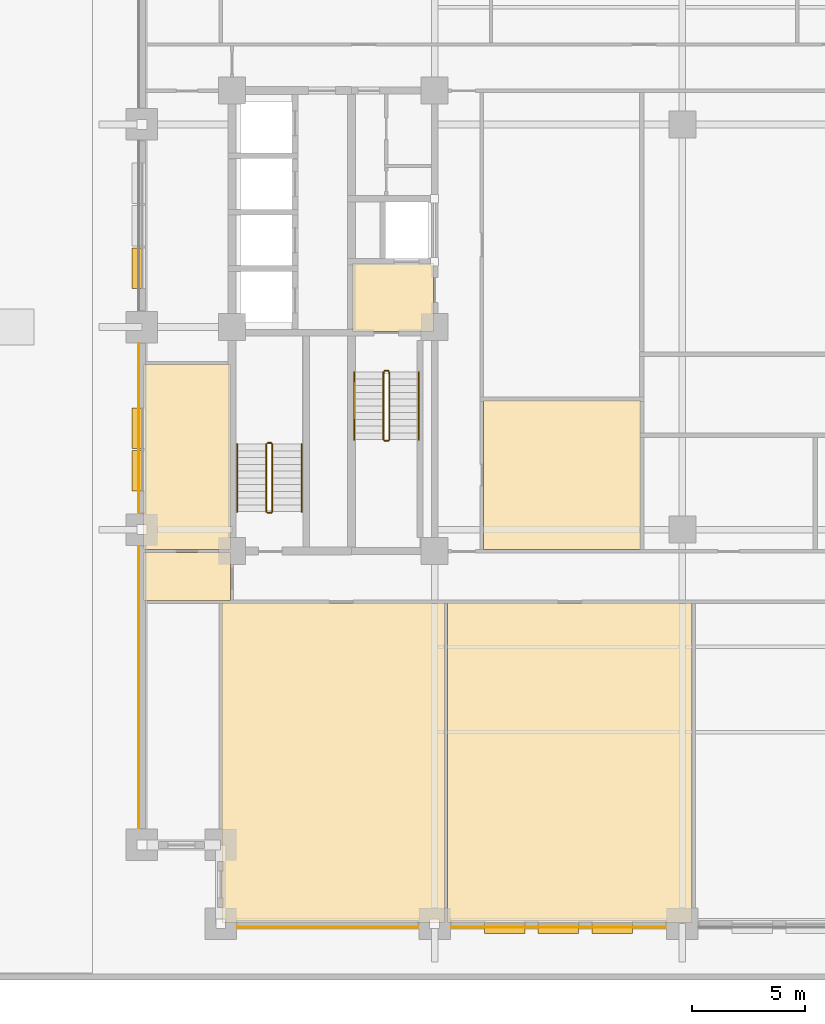
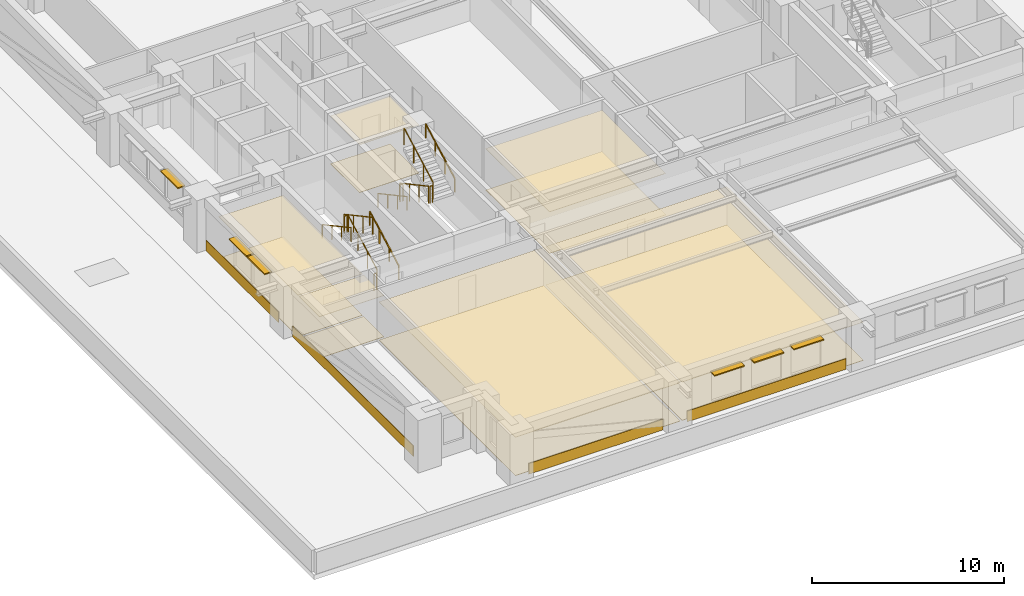
# One storey, part 9 of 12: 16 coverings, 12 railings, 6 shading devices.
"""IFC4 building model written with IfcOpenShell, lengths in metres."""

from ifc_helpers import new_model, si_unit, direction, frame, frame_2d, origin, origin_2d, place, context, subcontext, project, spatial, polyline, rectangle, outline, extrude, material, layer, layer_set, type_object, element, save


model = new_model("IFC4")

# Units and contexts
model_context = context("Model", 3, precision=1e-05, world=origin(), true_north=direction((0.0, 1.0)))
body_context = subcontext(model_context, "Body", "Model", "MODEL_VIEW")
ifc_project = project(units=[si_unit("LENGTHUNIT", "METRE"), si_unit("AREAUNIT", "SQUARE_METRE"), si_unit("VOLUMEUNIT", "CUBIC_METRE"), si_unit("PLANEANGLEUNIT", "RADIAN"), si_unit("MASSUNIT", "GRAM", prefix="KILO")], contexts=[model_context])

# Site, building, storey
site_placement = place(None, origin())
site = spatial("IfcSite", under=ifc_project, at=site_placement, CompositionType="ELEMENT")
building_placement = place(site_placement, origin())
building = spatial("IfcBuilding", under=site, at=building_placement, Name="Zulmaris Gate Convention Tower", CompositionType="ELEMENT")
storey_placement = place(building_placement, frame((0.0, 0.0, 27.199951171875)))
storey = spatial("IfcBuildingStorey", under=building, at=storey_placement, Name="L05", CompositionType="ELEMENT", Elevation=27.199951171875)

# Coverings
ifc_material_1 = material(Name="Precast concrete C40/50", Category="concrete")
ifc_layer_1 = layer(ifc_material_1, 0.0400390625, Name="Precast concrete C40/50")
ifc_layer_set_1 = layer_set([ifc_layer_1], Name="Precast concrete C40/50")
covering_type_1 = type_object("IfcCoveringType", Name="CLAD-SPANDREL-PRECAST", PredefinedType="CLADDING", material=ifc_layer_set_1)
covering_1_placement = place(storey_placement, frame((-19.77001953125, -26.64990234375, 0.0), z_axis=(0.0, 0.0, 1.0), x_axis=(1.0, 0.0, 0.0)))
element("IfcCovering", 1, at=covering_1_placement, inside=storey, type_object=covering_type_1, Name="CLD-L05-S-0_0", PredefinedType="CLADDING", context=body_context, shape_type="SweptSolid", body=[
    extrude(rectangle(XDim=8.0400390625, YDim=0.0400390625, at=frame_2d((4.02001953125, 0.0))), origin(), (0.0, 0.0, 1.0), 0.679931640625),
])
covering_2_placement = place(storey_placement, frame((-10.27001953125, -26.64990234375, 0.0), z_axis=(0.0, 0.0, 1.0), x_axis=(1.0, 0.0, 0.0)))
element("IfcCovering", 2, at=covering_2_placement, inside=storey, type_object=covering_type_1, Name="CLD-L05-S-1_0", PredefinedType="CLADDING", context=body_context, shape_type="SweptSolid", body=[
    extrude(rectangle(XDim=9.5400390625, YDim=0.0400390625, at=frame_2d((4.77001953125, 0.0))), origin(), (0.0, 0.0, 1.0), 0.679931640625),
])
covering_3_placement = place(storey_placement, frame((-24.14990234375, -9.72998046875, 0.0), z_axis=(0.0, 0.0, 1.0), x_axis=(0.0, -1.0, 0.0)))
element("IfcCovering", 3, at=covering_3_placement, inside=storey, type_object=covering_type_1, Name="CLD-L05-W-0_0", PredefinedType="CLADDING", context=body_context, shape_type="SweptSolid", body=[
    extrude(rectangle(XDim=12.5400390625, YDim=0.0400390625, at=frame_2d((6.27001953125, 0.0))), origin(), (0.0, 0.0, 1.0), 0.679931640625),
])
covering_4_placement = place(storey_placement, frame((-24.14990234375, -0.72998046875, 0.0), z_axis=(0.0, 0.0, 1.0), x_axis=(0.0, -1.0, 0.0)))
element("IfcCovering", 4, at=covering_4_placement, inside=storey, type_object=covering_type_1, Name="CLD-L05-W-1_0", PredefinedType="CLADDING", context=body_context, shape_type="SweptSolid", body=[
    extrude(rectangle(XDim=7.5400390625, YDim=0.0400390625, at=frame_2d((3.77001953125, 0.0))), origin(), (0.0, 0.0, 1.0), 0.679931640625),
])
ifc_material_2 = material(Name="Mineral Fibre Acoustic Ceiling Tile")
ifc_layer_2 = layer(ifc_material_2, 0.02001953125, Name="Mineral Fibre Acoustic Ceiling Tile")
ifc_layer_set_2 = layer_set([ifc_layer_2], Name="Mineral Fibre Acoustic Ceiling Tile")
covering_type_2 = type_object("IfcCoveringType", Name="CLG-ACOUSTIC-600", PredefinedType="CEILING", material=ifc_layer_set_2)
covering_5_placement = place(storey_placement, frame((0.0, 0.0, 3.0400390625)))
element("IfcCovering", 5, at=covering_5_placement, inside=storey, type_object=covering_type_2, Name="CLG-L05-R03", PredefinedType="CEILING", context=body_context, shape_type="SweptSolid", body=[
    extrude(outline(polyline([(-14.639892578125, -0.18994140625), (-11.06005859375, -0.18994140625), (-11.06005859375, 2.840087890625), (-14.639892578125, 2.840087890625), (-14.639892578125, -0.18994140625)])), origin(), (0.0, 0.0, 1.0), 0.02001953125),
])
covering_6_placement = place(storey_placement, frame((0.0, 0.0, 2.427978515625)))
element("IfcCovering", 6, at=covering_6_placement, inside=storey, type_object=covering_type_2, Name="CLG-L05-R38", PredefinedType="CEILING", context=body_context, shape_type="SweptSolid", body=[
    extrude(outline(polyline([(-20.43994140625, -26.43994140625), (-10.56005859375, -26.43994140625), (-10.56005859375, -12.260009765625), (-20.43994140625, -12.260009765625), (-20.43994140625, -26.43994140625)])), origin(), (0.0, 0.0, 1.0), 0.02001953125),
])
covering_7_placement = place(storey_placement, frame((0.0, 0.0, 2.427978515625)))
element("IfcCovering", 7, at=covering_7_placement, inside=storey, type_object=covering_type_2, Name="CLG-L05-R39", PredefinedType="CEILING", context=body_context, shape_type="SweptSolid", body=[
    extrude(outline(polyline([(-10.43994140625, -26.43994140625), (0.43994140625, -26.43994140625), (0.43994140625, -12.260009765625), (-10.43994140625, -12.260009765625), (-10.43994140625, -26.43994140625)])), origin(), (0.0, 0.0, 1.0), 0.02001953125),
])
covering_8_placement = place(storey_placement, frame((0.0, 0.0, 2.6279296875)))
element("IfcCovering", 8, at=covering_8_placement, inside=storey, type_object=covering_type_2, Name="CLG-L05-R42", PredefinedType="CEILING", context=body_context, shape_type="SweptSolid", body=[
    extrude(outline(polyline([(-8.840087890625, -9.889892578125), (-1.860107421875, -9.889892578125), (-1.860107421875, -3.260009765625), (-8.840087890625, -3.260009765625), (-8.840087890625, -9.889892578125)])), origin(), (0.0, 0.0, 1.0), 0.02001953125),
])
covering_9_placement = place(storey_placement, frame((0.0, 0.0, 2.6279296875)))
element("IfcCovering", 9, at=covering_9_placement, inside=storey, type_object=covering_type_2, Name="CLG-L05-R48", PredefinedType="CEILING", context=body_context, shape_type="SweptSolid", body=[
    extrude(outline(polyline([(-23.93994140625, -12.139892578125), (-20.06005859375, -12.139892578125), (-20.06005859375, -10.010009765625), (-23.93994140625, -10.010009765625), (-23.93994140625, -12.139892578125)])), origin(), (0.0, 0.0, 1.0), 0.02001953125),
])
covering_10_placement = place(storey_placement, frame((0.0, 0.0, 2.6279296875)))
element("IfcCovering", 10, at=covering_10_placement, inside=storey, type_object=covering_type_2, Name="CLG-L05-R50", PredefinedType="CEILING", context=body_context, shape_type="SweptSolid", body=[
    extrude(outline(polyline([(-23.93994140625, -9.889892578125), (-20.06005859375, -9.889892578125), (-20.06005859375, -1.659912109375), (-23.93994140625, -1.659912109375), (-23.93994140625, -9.889892578125)])), origin(), (0.0, 0.0, 1.0), 0.02001953125),
])
ifc_material_3 = material(Name="Woven Acoustic Wool Carpet Tile")
ifc_layer_3 = layer(ifc_material_3, 0.02001953125, Name="Woven Acoustic Wool Carpet Tile")
ifc_layer_set_3 = layer_set([ifc_layer_3], Name="Woven Acoustic Wool Carpet Tile")
covering_type_3 = type_object("IfcCoveringType", Name="FLR-CARPET-12", PredefinedType="FLOORING", material=ifc_layer_set_3)
covering_11_placement = place(storey_placement, origin())
element("IfcCovering", 11, at=covering_11_placement, inside=storey, type_object=covering_type_3, Name="FLR-L05-R03", PredefinedType="FLOORING", context=body_context, shape_type="SweptSolid", body=[
    extrude(outline(polyline([(-14.639892578125, -0.18994140625), (-11.06005859375, -0.18994140625), (-11.06005859375, 2.840087890625), (-14.639892578125, 2.840087890625), (-14.639892578125, -0.18994140625)])), origin(), (0.0, 0.0, 1.0), 0.02001953125),
])
covering_12_placement = place(storey_placement, origin())
element("IfcCovering", 12, at=covering_12_placement, inside=storey, type_object=covering_type_3, Name="FLR-L05-R39", PredefinedType="FLOORING", context=body_context, shape_type="SweptSolid", body=[
    extrude(outline(polyline([(-10.43994140625, -26.43994140625), (0.43994140625, -26.43994140625), (0.43994140625, -12.260009765625), (-10.43994140625, -12.260009765625), (-10.43994140625, -26.43994140625)])), origin(), (0.0, 0.0, 1.0), 0.02001953125),
])
covering_13_placement = place(storey_placement, origin())
element("IfcCovering", 13, at=covering_13_placement, inside=storey, type_object=covering_type_3, Name="FLR-L05-R42", PredefinedType="FLOORING", context=body_context, shape_type="SweptSolid", body=[
    extrude(outline(polyline([(-8.840087890625, -9.889892578125), (-1.860107421875, -9.889892578125), (-1.860107421875, -3.260009765625), (-8.840087890625, -3.260009765625), (-8.840087890625, -9.889892578125)])), origin(), (0.0, 0.0, 1.0), 0.02001953125),
])
covering_14_placement = place(storey_placement, origin())
element("IfcCovering", 14, at=covering_14_placement, inside=storey, type_object=covering_type_3, Name="FLR-L05-R48", PredefinedType="FLOORING", context=body_context, shape_type="SweptSolid", body=[
    extrude(outline(polyline([(-23.93994140625, -12.139892578125), (-20.06005859375, -12.139892578125), (-20.06005859375, -10.010009765625), (-23.93994140625, -10.010009765625), (-23.93994140625, -12.139892578125)])), origin(), (0.0, 0.0, 1.0), 0.02001953125),
])
covering_15_placement = place(storey_placement, origin())
element("IfcCovering", 15, at=covering_15_placement, inside=storey, type_object=covering_type_3, Name="FLR-L05-R50", PredefinedType="FLOORING", context=body_context, shape_type="SweptSolid", body=[
    extrude(outline(polyline([(-23.93994140625, -9.889892578125), (-20.06005859375, -9.889892578125), (-20.06005859375, -1.659912109375), (-23.93994140625, -1.659912109375), (-23.93994140625, -9.889892578125)])), origin(), (0.0, 0.0, 1.0), 0.02001953125),
])
ifc_material_4 = material(Name="Engineered Teak Parquet Flooring")
ifc_layer_4 = layer(ifc_material_4, 0.02001953125, Name="Engineered Teak Parquet Flooring")
ifc_layer_set_4 = layer_set([ifc_layer_4], Name="Engineered Teak Parquet Flooring")
covering_type_4 = type_object("IfcCoveringType", Name="FLR-TIMBER-18", PredefinedType="FLOORING", material=ifc_layer_set_4)
covering_16_placement = place(storey_placement, origin())
element("IfcCovering", 16, at=covering_16_placement, inside=storey, type_object=covering_type_4, Name="FLR-L05-R38", PredefinedType="FLOORING", context=body_context, shape_type="SweptSolid", body=[
    extrude(outline(polyline([(-20.43994140625, -26.43994140625), (-10.56005859375, -26.43994140625), (-10.56005859375, -12.260009765625), (-20.43994140625, -12.260009765625), (-20.43994140625, -26.43994140625)])), origin(), (0.0, 0.0, 1.0), 0.02001953125),
])

# Railings
ifc_material_5 = material(Name="Painted Galvanised Steel", Category="steel")
railing_type_1 = type_object("IfcRailingType", Name="RL-STG-1150", PredefinedType="GUARDRAIL", material=ifc_material_5)
railing_1_placement = place(storey_placement, frame((-13.27001953125, -2.0, 0.162353515625)))
element("IfcRailing", 17, at=railing_1_placement, inside=storey, type_object=railing_type_1, Name="L05 ST-1 stair guard 1", PredefinedType="GUARDRAIL", context=body_context, shape_type="SweptSolid", body=[
    extrude(rectangle(XDim=0.048095703125, YDim=0.048095703125, at=origin_2d()), frame((0.0, 0.0, 1.076171875), z_axis=(0.0, -0.8795616155, 0.475784998228), x_axis=(1.0, 0.0, 0.0)), (0.0, 0.0, 1.0), 3.410888671875),
    extrude(rectangle(XDim=0.0419921875, YDim=0.0419921875, at=origin_2d()), origin(), (0.0, 0.0, 1.0), 1.052001953125),
    extrude(rectangle(XDim=0.0419921875, YDim=0.0419921875, at=origin_2d()), frame((0.0, -1.0, 0.541015625)), (0.0, 0.0, 1.0), 1.052001953125),
    extrude(rectangle(XDim=0.0419921875, YDim=0.0419921875, at=origin_2d()), frame((0.0, -2.0, 1.081787109375)), (0.0, 0.0, 1.0), 1.052001953125),
    extrude(rectangle(XDim=0.0419921875, YDim=0.0419921875, at=origin_2d()), frame((0.0, -3.0, 1.622802734375)), (0.0, 0.0, 1.0), 1.052001953125),
])
railing_2_placement = place(storey_placement, frame((-13.219970703125, -5.050048828125, 1.78515625)))
element("IfcRailing", 18, at=railing_2_placement, inside=storey, type_object=railing_type_1, Name="L05 ST-1 stair guard 2", PredefinedType="GUARDRAIL", context=body_context, shape_type="SweptSolid", body=[
    extrude(rectangle(XDim=0.048095703125, YDim=0.048095703125, at=origin_2d()), frame((0.0, 0.0, 1.076171875), z_axis=(1.0, 0.0, 0.0), x_axis=(0.0, 1.0, 0.0)), (0.0, 0.0, 1.0), 0.159912109375),
    extrude(rectangle(XDim=0.0419921875, YDim=0.0419921875, at=origin_2d()), origin(), (0.0, 0.0, 1.0), 1.052001953125),
    extrude(rectangle(XDim=0.0419921875, YDim=0.0419921875, at=origin_2d()), frame((0.159912109375, 0.0, 0.0)), (0.0, 0.0, 1.0), 1.052001953125),
])
railing_3_placement = place(storey_placement, frame((-13.010009765625, -5.0, 1.947265625)))
element("IfcRailing", 19, at=railing_3_placement, inside=storey, type_object=railing_type_1, Name="L05 ST-1 stair guard 3", PredefinedType="GUARDRAIL", context=body_context, shape_type="SweptSolid", body=[
    extrude(rectangle(XDim=0.048095703125, YDim=0.048095703125, at=origin_2d()), frame((0.0, 0.0, 1.076171875), z_axis=(0.0, 0.8795616155, 0.475784998228), x_axis=(-1.0, 0.0, 0.0)), (0.0, 0.0, 1.0), 3.410888671875),
    extrude(rectangle(XDim=0.0419921875, YDim=0.0419921875, at=origin_2d()), origin(), (0.0, 0.0, 1.0), 1.052001953125),
    extrude(rectangle(XDim=0.0419921875, YDim=0.0419921875, at=origin_2d()), frame((0.0, 1.0, 0.541015625)), (0.0, 0.0, 1.0), 1.052001953125),
    extrude(rectangle(XDim=0.0419921875, YDim=0.0419921875, at=origin_2d()), frame((0.0, 2.0, 1.081787109375)), (0.0, 0.0, 1.0), 1.052001953125),
    extrude(rectangle(XDim=0.0419921875, YDim=0.0419921875, at=origin_2d()), frame((0.0, 3.0, 1.622802734375)), (0.0, 0.0, 1.0), 1.052001953125),
])
railing_4_placement = place(storey_placement, frame((-13.219970703125, -1.949951171875, 0.0)))
element("IfcRailing", 20, at=railing_4_placement, inside=storey, type_object=railing_type_1, Name="L05 ST-1 stair guard 4", PredefinedType="GUARDRAIL", context=body_context, shape_type="SweptSolid", body=[
    extrude(rectangle(XDim=0.048095703125, YDim=0.048095703125, at=origin_2d()), frame((0.0, 0.0, 1.076171875), z_axis=(1.0, 0.0, 0.0), x_axis=(0.0, 1.0, 0.0)), (0.0, 0.0, 1.0), 0.159912109375),
    extrude(rectangle(XDim=0.0419921875, YDim=0.0419921875, at=origin_2d()), origin(), (0.0, 0.0, 1.0), 1.052001953125),
    extrude(rectangle(XDim=0.0419921875, YDim=0.0419921875, at=origin_2d()), frame((0.159912109375, 0.0, 0.0)), (0.0, 0.0, 1.0), 1.052001953125),
])
railing_5_placement = place(storey_placement, frame((-18.2099609375, -8.199951171875, 0.162353515625)))
element("IfcRailing", 21, at=railing_5_placement, inside=storey, type_object=railing_type_1, Name="L05 ST-3 stair guard 1", PredefinedType="GUARDRAIL", context=body_context, shape_type="SweptSolid", body=[
    extrude(rectangle(XDim=0.048095703125, YDim=0.048095703125, at=origin_2d()), frame((0.0, 0.0, 1.076171875), z_axis=(0.0, 0.8795616155, 0.475784998228), x_axis=(-1.0, 0.0, 0.0)), (0.0, 0.0, 1.0), 3.410888671875),
    extrude(rectangle(XDim=0.0419921875, YDim=0.0419921875, at=origin_2d()), origin(), (0.0, 0.0, 1.0), 1.052001953125),
    extrude(rectangle(XDim=0.0419921875, YDim=0.0419921875, at=origin_2d()), frame((0.0, 1.0, 0.541015625)), (0.0, 0.0, 1.0), 1.052001953125),
    extrude(rectangle(XDim=0.0419921875, YDim=0.0419921875, at=origin_2d()), frame((0.0, 2.0, 1.081787109375)), (0.0, 0.0, 1.0), 1.052001953125),
    extrude(rectangle(XDim=0.0419921875, YDim=0.0419921875, at=origin_2d()), frame((0.0, 3.0, 1.622802734375)), (0.0, 0.0, 1.0), 1.052001953125),
])
railing_6_placement = place(storey_placement, frame((-18.260009765625, -5.14990234375, 1.78515625)))
element("IfcRailing", 22, at=railing_6_placement, inside=storey, type_object=railing_type_1, Name="L05 ST-3 stair guard 2", PredefinedType="GUARDRAIL", context=body_context, shape_type="SweptSolid", body=[
    extrude(rectangle(XDim=0.048095703125, YDim=0.048095703125, at=origin_2d()), frame((0.0, 0.0, 1.076171875), z_axis=(-1.0, 0.0, 0.0), x_axis=(0.0, -1.0, 0.0)), (0.0, 0.0, 1.0), 0.159912109375),
    extrude(rectangle(XDim=0.0419921875, YDim=0.0419921875, at=origin_2d()), origin(), (0.0, 0.0, 1.0), 1.052001953125),
    extrude(rectangle(XDim=0.0419921875, YDim=0.0419921875, at=origin_2d()), frame((-0.159912109375, 0.0, 0.0)), (0.0, 0.0, 1.0), 1.052001953125),
])
railing_7_placement = place(storey_placement, frame((-18.469970703125, -5.199951171875, 1.947265625)))
element("IfcRailing", 23, at=railing_7_placement, inside=storey, type_object=railing_type_1, Name="L05 ST-3 stair guard 3", PredefinedType="GUARDRAIL", context=body_context, shape_type="SweptSolid", body=[
    extrude(rectangle(XDim=0.048095703125, YDim=0.048095703125, at=origin_2d()), frame((0.0, 0.0, 1.076171875), z_axis=(0.0, -0.8795616155, 0.475784998228), x_axis=(1.0, 0.0, 0.0)), (0.0, 0.0, 1.0), 3.410888671875),
    extrude(rectangle(XDim=0.0419921875, YDim=0.0419921875, at=origin_2d()), origin(), (0.0, 0.0, 1.0), 1.052001953125),
    extrude(rectangle(XDim=0.0419921875, YDim=0.0419921875, at=origin_2d()), frame((0.0, -1.0, 0.541015625)), (0.0, 0.0, 1.0), 1.052001953125),
    extrude(rectangle(XDim=0.0419921875, YDim=0.0419921875, at=origin_2d()), frame((0.0, -2.0, 1.081787109375)), (0.0, 0.0, 1.0), 1.052001953125),
    extrude(rectangle(XDim=0.0419921875, YDim=0.0419921875, at=origin_2d()), frame((0.0, -3.0, 1.622802734375)), (0.0, 0.0, 1.0), 1.052001953125),
])
railing_8_placement = place(storey_placement, frame((-18.260009765625, -8.25, 0.0)))
element("IfcRailing", 24, at=railing_8_placement, inside=storey, type_object=railing_type_1, Name="L05 ST-3 stair guard 4", PredefinedType="GUARDRAIL", context=body_context, shape_type="SweptSolid", body=[
    extrude(rectangle(XDim=0.048095703125, YDim=0.048095703125, at=origin_2d()), frame((0.0, 0.0, 1.076171875), z_axis=(-1.0, 0.0, 0.0), x_axis=(0.0, -1.0, 0.0)), (0.0, 0.0, 1.0), 0.159912109375),
    extrude(rectangle(XDim=0.0419921875, YDim=0.0419921875, at=origin_2d()), origin(), (0.0, 0.0, 1.0), 1.052001953125),
    extrude(rectangle(XDim=0.0419921875, YDim=0.0419921875, at=origin_2d()), frame((-0.159912109375, 0.0, 0.0)), (0.0, 0.0, 1.0), 1.052001953125),
])
ifc_material_6 = material(Name="Brushed Stainless Steel", Category="steel")
railing_type_2 = type_object("IfcRailingType", Name="RL-STH-900", PredefinedType="HANDRAIL", material=ifc_material_6)
railing_9_placement = place(storey_placement, frame((-14.570068359375, -2.0, 0.162353515625)))
element("IfcRailing", 25, at=railing_9_placement, inside=storey, type_object=railing_type_2, Name="L05 ST-1 stair handrail 1", PredefinedType="HANDRAIL", context=body_context, shape_type="SweptSolid", body=[
    extrude(rectangle(XDim=0.048095703125, YDim=0.048095703125, at=origin_2d()), frame((0.0, 0.0, 0.8759765625), z_axis=(0.0, -0.8795616155, 0.475784998228), x_axis=(1.0, 0.0, 0.0)), (0.0, 0.0, 1.0), 3.410888671875),
    extrude(rectangle(XDim=0.0419921875, YDim=0.0419921875, at=origin_2d()), origin(), (0.0, 0.0, 1.0), 0.851806640625),
    extrude(rectangle(XDim=0.0419921875, YDim=0.0419921875, at=origin_2d()), frame((0.0, -1.0, 0.541015625)), (0.0, 0.0, 1.0), 0.851806640625),
    extrude(rectangle(XDim=0.0419921875, YDim=0.0419921875, at=origin_2d()), frame((0.0, -2.0, 1.081787109375)), (0.0, 0.0, 1.0), 0.851806640625),
    extrude(rectangle(XDim=0.0419921875, YDim=0.0419921875, at=origin_2d()), frame((0.0, -3.0, 1.622802734375)), (0.0, 0.0, 1.0), 0.851806640625),
])
for number, where, name in (
    (26, (-11.7099609375, -5.0, 1.947265625), "L05 ST-1 stair handrail 2"),
    (27, (-16.909912109375, -8.199951171875, 0.162353515625), "L05 ST-3 stair handrail 1"),
):
    element("IfcRailing", number, at=place(storey_placement, frame(where)), inside=storey, type_object=railing_type_2, Name=name, PredefinedType="HANDRAIL", context=body_context, shape_type="SweptSolid", body=[
        extrude(rectangle(XDim=0.048095703125, YDim=0.048095703125, at=origin_2d()), frame((0.0, 0.0, 0.8759765625), z_axis=(0.0, 0.8795616155, 0.475784998228), x_axis=(-1.0, 0.0, 0.0)), (0.0, 0.0, 1.0), 3.410888671875),
        extrude(rectangle(XDim=0.0419921875, YDim=0.0419921875, at=origin_2d()), origin(), (0.0, 0.0, 1.0), 0.851806640625),
        extrude(rectangle(XDim=0.0419921875, YDim=0.0419921875, at=origin_2d()), frame((0.0, 1.0, 0.541015625)), (0.0, 0.0, 1.0), 0.851806640625),
        extrude(rectangle(XDim=0.0419921875, YDim=0.0419921875, at=origin_2d()), frame((0.0, 2.0, 1.081787109375)), (0.0, 0.0, 1.0), 0.851806640625),
        extrude(rectangle(XDim=0.0419921875, YDim=0.0419921875, at=origin_2d()), frame((0.0, 3.0, 1.622802734375)), (0.0, 0.0, 1.0), 0.851806640625),
    ])
railing_10_placement = place(storey_placement, frame((-19.77001953125, -5.199951171875, 1.947265625)))
element("IfcRailing", 28, at=railing_10_placement, inside=storey, type_object=railing_type_2, Name="L05 ST-3 stair handrail 2", PredefinedType="HANDRAIL", context=body_context, shape_type="SweptSolid", body=[
    extrude(rectangle(XDim=0.048095703125, YDim=0.048095703125, at=origin_2d()), frame((0.0, 0.0, 0.8759765625), z_axis=(0.0, -0.8795616155, 0.475784998228), x_axis=(1.0, 0.0, 0.0)), (0.0, 0.0, 1.0), 3.410888671875),
    extrude(rectangle(XDim=0.0419921875, YDim=0.0419921875, at=origin_2d()), origin(), (0.0, 0.0, 1.0), 0.851806640625),
    extrude(rectangle(XDim=0.0419921875, YDim=0.0419921875, at=origin_2d()), frame((0.0, -1.0, 0.541015625)), (0.0, 0.0, 1.0), 0.851806640625),
    extrude(rectangle(XDim=0.0419921875, YDim=0.0419921875, at=origin_2d()), frame((0.0, -2.0, 1.081787109375)), (0.0, 0.0, 1.0), 0.851806640625),
    extrude(rectangle(XDim=0.0419921875, YDim=0.0419921875, at=origin_2d()), frame((0.0, -3.0, 1.622802734375)), (0.0, 0.0, 1.0), 0.851806640625),
])

# Shading devices
ifc_material_7 = material(Name="Glazed Ceramic Terracotta", Category="masonry")
ifc_layer_5 = layer(ifc_material_7, 0.070068359375, Name="Glazed Ceramic Terracotta")
ifc_layer_set_5 = layer_set([ifc_layer_5], Name="Glazed Ceramic Terracotta")
shading_device_type = type_object("IfcShadingDeviceType", Name="SHD-SUNSHADE-TC", PredefinedType="AWNING", material=ifc_layer_set_5)
for number, where, z_axis, x_axis, name in (
    (29, (-8.784912109375, -26.719970703125, 2.530029296875), (0.0, 0.0, 1.0), (1.0, 0.0, 0.0), "SHD-EW-L05-S-1_0-1"),
    (30, (-6.39990234375, -26.719970703125, 2.530029296875), (0.0, 0.0, 1.0), (1.0, 0.0, 0.0), "SHD-EW-L05-S-1_0-2"),
    (31, (-4.014892578125, -26.719970703125, 2.530029296875), (0.0, 0.0, 1.0), (1.0, 0.0, 0.0), "SHD-EW-L05-S-1_0-3"),
    (32, (-24.219970703125, -3.60009765625, 2.530029296875), (0.0, 0.0, 1.0), (0.0, -1.0, 0.0), "SHD-EW-L05-W-1_0-2"),
    (33, (-24.219970703125, -5.485107421875, 2.530029296875), (0.0, 0.0, 1.0), (0.0, -1.0, 0.0), "SHD-EW-L05-W-1_0-3"),
    (34, (-24.219970703125, 3.514892578125, 2.530029296875), (0.0, 0.0, 1.0), (0.0, -1.0, 0.0), "SHD-EW-L05-W-2_0-3"),
):
    element("IfcShadingDevice", number, at=place(storey_placement, frame(where, z_axis=z_axis, x_axis=x_axis)), inside=storey, type_object=shading_device_type, Name=name, PredefinedType="AWNING", context=body_context, shape_type="SweptSolid", body=[
        extrude(rectangle(XDim=1.7998046875, YDim=0.43994140625, at=frame_2d((0.89990234375, 0.0))), origin(), (0.0, 0.0, 1.0), 0.070068359375),
    ])

save(model, "model.ifc")
